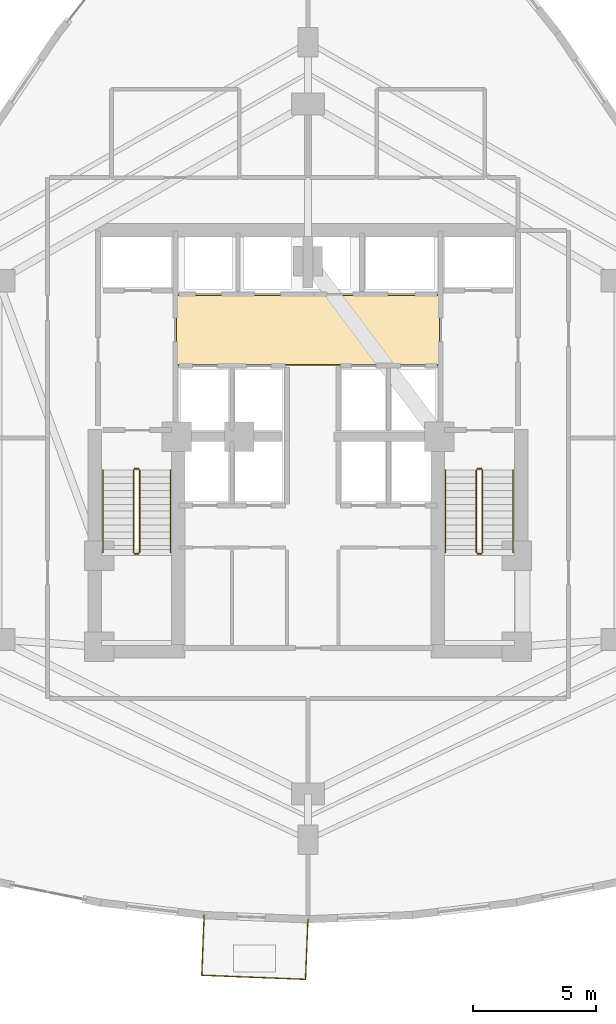
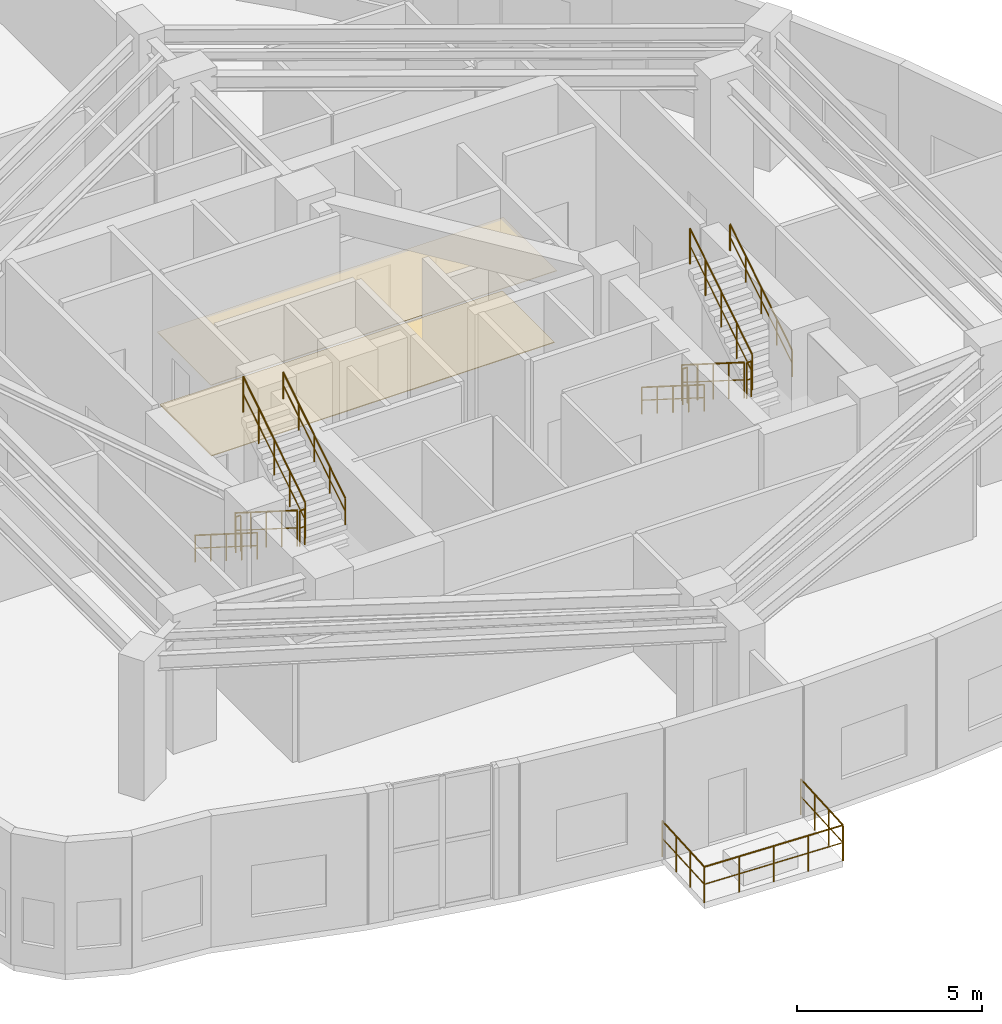
# One storey, part 17 of 17: 13 railings, 2 coverings.
"""IFC4 building model written with IfcOpenShell, lengths in metres."""

from ifc_helpers import new_model, si_unit, direction, frame, origin, origin_2d, place, context, subcontext, project, spatial, polyline, circle, outline, extrude, material, layer, layer_set, type_object, element, save


model = new_model("IFC4")

# Units and contexts
model_context = context("Model", 3, precision=1e-05, world=origin(), true_north=direction((0.0, 1.0)))
body_context = subcontext(model_context, "Body", "Model", "MODEL_VIEW")
ifc_project = project(units=[si_unit("LENGTHUNIT", "METRE"), si_unit("AREAUNIT", "SQUARE_METRE"), si_unit("VOLUMEUNIT", "CUBIC_METRE"), si_unit("PLANEANGLEUNIT", "RADIAN"), si_unit("MASSUNIT", "GRAM", prefix="KILO")], contexts=[model_context])

# Site, building, storey
site_placement = place(None, origin())
site = spatial("IfcSite", under=ifc_project, at=site_placement, CompositionType="ELEMENT")
building_placement = place(site_placement, origin())
building = spatial("IfcBuilding", under=site, at=building_placement, Name="Miruveldt Soraemaru", CompositionType="ELEMENT")
storey_placement = place(building_placement, frame((0.0, 0.0, 95.800048828125)))
storey = spatial("IfcBuildingStorey", under=building, at=storey_placement, Name="L26", CompositionType="ELEMENT", Elevation=95.800048828125)

# Coverings
ifc_material_1 = material(Name="Gypsum plasterboard lining", Category="gypsum")
ifc_layer_1 = layer(ifc_material_1, 0.02001953125, Name="Gypsum plasterboard lining", Category="gypsum")
ifc_layer_set_1 = layer_set([ifc_layer_1], Name="Gypsum plasterboard lining")
covering_type_1 = type_object("IfcCoveringType", Name="COV-CEIL-AC", PredefinedType="CEILING", material=ifc_layer_set_1)
covering_1_placement = place(storey_placement, frame((0.0, 0.0, 2.3798828125)))
element("IfcCovering", 1, at=covering_1_placement, inside=storey, type_object=covering_type_1, Name="L26 Lift Lobby Acoustic Ceiling", PredefinedType="CEILING", context=body_context, shape_type="SweptSolid", body=[
    extrude(outline(polyline([(38.60009765625, 46.949951171875), (49.39990234375, 46.949951171875), (49.39990234375, 49.85009765625), (38.60009765625, 49.85009765625), (38.60009765625, 46.949951171875)])), origin(), (0.0, 0.0, 1.0), 0.02001953125),
])
ifc_material_2 = material(Name="Precast concrete C45/55 (45 MPa)", Category="concrete")
ifc_layer_2 = layer(ifc_material_2, 0.02490234375, Name="Precast concrete C45/55 (45 MPa)", Category="concrete")
ifc_layer_set_2 = layer_set([ifc_layer_2], Name="Precast concrete C45/55 (45 MPa)")
covering_type_2 = type_object("IfcCoveringType", Name="COV-FLOR-ST", PredefinedType="FLOORING", material=ifc_layer_set_2)
covering_2_placement = place(storey_placement, origin())
element("IfcCovering", 2, at=covering_2_placement, inside=storey, type_object=covering_type_2, Name="L26 Lift Lobby Stone Flooring", PredefinedType="FLOORING", context=body_context, shape_type="SweptSolid", body=[
    extrude(outline(polyline([(38.64990234375, 47.0), (49.35009765625, 47.0), (49.35009765625, 49.800048828125), (38.64990234375, 49.800048828125), (38.64990234375, 47.0)])), origin(), (0.0, 0.0, 1.0), 0.02490234375),
])

# Railings
ifc_material_3 = material(Name="Anodised aluminium EN AW-6063 T6", Category="aluminium")
railing_type_1 = type_object("IfcRailingType", Name="RAIL-BAL-1200", PredefinedType="BALUSTRADE", material=ifc_material_3)
railing_1_placement = place(storey_placement, frame((39.77099609375, 24.5771484375, 0.0)))
element("IfcRailing", 3, at=railing_1_placement, inside=storey, type_object=railing_type_1, Name="L26 Sky Garden Deck Guardrail", PredefinedType="BALUSTRADE", context=body_context, shape_type="SweptSolid", body=[
    extrude(circle(Radius=0.02392578125, at=origin_2d()), frame((0.0, 0.0, 1.17578125), z_axis=(-0.039960078997, -0.999201277064, 0.0), x_axis=(0.999201277064, -0.039960078997, 0.0)), (0.0, 0.0, 1.0), 2.449951171875),
    extrude(circle(Radius=0.01611328125, at=origin_2d()), frame((0.0, 0.0, 0.60009765625), z_axis=(-0.039960078997, -0.999201277064, 0.0), x_axis=(0.999201277064, -0.039960078997, 0.0)), (0.0, 0.0, 1.0), 2.449951171875),
    extrude(circle(Radius=0.02392578125, at=origin_2d()), frame((-0.097900390625, -2.447998046875, 1.17578125), z_axis=(0.999202984671, -0.039917357429, 0.0), x_axis=(0.039917357429, 0.999202984671, 0.0)), (0.0, 0.0, 1.0), 4.232421875),
    extrude(circle(Radius=0.01611328125, at=origin_2d()), frame((-0.097900390625, -2.447998046875, 0.60009765625), z_axis=(0.999202984671, -0.039917357429, 0.0), x_axis=(0.039917357429, 0.999202984671, 0.0)), (0.0, 0.0, 1.0), 4.232421875),
    extrude(circle(Radius=0.02392578125, at=origin_2d()), frame((4.131103515625, -2.616943359375, 1.17578125), z_axis=(0.039960078997, 0.999201277064, 0.0), x_axis=(-0.999201277064, 0.039960078997, 0.0)), (0.0, 0.0, 1.0), 2.449951171875),
    extrude(circle(Radius=0.01611328125, at=origin_2d()), frame((4.131103515625, -2.616943359375, 0.60009765625), z_axis=(0.039960078997, 0.999201277064, 0.0), x_axis=(-0.999201277064, 0.039960078997, 0.0)), (0.0, 0.0, 1.0), 2.449951171875),
    extrude(circle(Radius=0.02099609375, at=origin_2d()), origin(), (0.0, 0.0, 1.0), 1.15185546875),
    extrude(circle(Radius=0.02099609375, at=origin_2d()), frame((-0.03271484375, -0.81591796875, 0.0)), (0.0, 0.0, 1.0), 1.15185546875),
    extrude(circle(Radius=0.02099609375, at=origin_2d()), frame((-0.065185546875, -1.632080078125, 0.0)), (0.0, 0.0, 1.0), 1.15185546875),
    extrude(circle(Radius=0.02099609375, at=origin_2d()), frame((-0.097900390625, -2.447998046875, 0.0)), (0.0, 0.0, 1.0), 1.15185546875),
    extrude(circle(Radius=0.02099609375, at=origin_2d()), frame((0.95947265625, -2.490234375, 0.0)), (0.0, 0.0, 1.0), 1.15185546875),
    extrude(circle(Radius=0.02099609375, at=origin_2d()), frame((2.0166015625, -2.532470703125, 0.0)), (0.0, 0.0, 1.0), 1.15185546875),
    extrude(circle(Radius=0.02099609375, at=origin_2d()), frame((3.07373046875, -2.57470703125, 0.0)), (0.0, 0.0, 1.0), 1.15185546875),
    extrude(circle(Radius=0.02099609375, at=origin_2d()), frame((4.131103515625, -2.616943359375, 0.0)), (0.0, 0.0, 1.0), 1.15185546875),
    extrude(circle(Radius=0.02099609375, at=origin_2d()), frame((4.163818359375, -1.801025390625, 0.0)), (0.0, 0.0, 1.0), 1.15185546875),
    extrude(circle(Radius=0.02099609375, at=origin_2d()), frame((4.1962890625, -0.98486328125, 0.0)), (0.0, 0.0, 1.0), 1.15185546875),
    extrude(circle(Radius=0.02099609375, at=origin_2d()), frame((4.22900390625, -0.1689453125, 0.0)), (0.0, 0.0, 1.0), 1.15185546875),
])
ifc_material_4 = material(Name="Steel S355 (355 MPa)", Category="steel")
railing_type_2 = type_object("IfcRailingType", Name="RAIL-HR-900", PredefinedType="HANDRAIL", material=ifc_material_4)
railing_2_placement = place(storey_placement, frame((35.64990234375, 42.699951171875, 0.1767578125)))
element("IfcRailing", 4, at=railing_2_placement, inside=storey, type_object=railing_type_2, Name="L26 ST-1 stair handrail 1", PredefinedType="HANDRAIL", context=body_context, shape_type="SweptSolid", body=[
    extrude(circle(Radius=0.02392578125, at=origin_2d()), frame((0.0, 0.0, 0.8759765625), z_axis=(0.0, -0.845344368971, 0.534221768416), x_axis=(1.0, 0.0, 0.0)), (0.0, 0.0, 1.0), 3.974609375),
    extrude(circle(Radius=0.01611328125, at=origin_2d()), frame((0.0, 0.0, 0.449951171875), z_axis=(0.0, -0.845344368971, 0.534221768416), x_axis=(1.0, 0.0, 0.0)), (0.0, 0.0, 1.0), 3.974609375),
    extrude(circle(Radius=0.02099609375, at=origin_2d()), origin(), (0.0, 0.0, 1.0), 0.851806640625),
    extrude(circle(Radius=0.02099609375, at=origin_2d()), frame((0.0, -0.83984375, 0.53076171875)), (0.0, 0.0, 1.0), 0.851806640625),
    extrude(circle(Radius=0.02099609375, at=origin_2d()), frame((0.0, -1.679931640625, 1.0615234375)), (0.0, 0.0, 1.0), 0.851806640625),
    extrude(circle(Radius=0.02099609375, at=origin_2d()), frame((0.0, -2.52001953125, 1.592529296875)), (0.0, 0.0, 1.0), 0.851806640625),
    extrude(circle(Radius=0.02099609375, at=origin_2d()), frame((0.0, -3.35986328125, 2.123291015625)), (0.0, 0.0, 1.0), 0.851806640625),
])
railing_3_placement = place(storey_placement, frame((38.39990234375, 39.340087890625, 2.476806640625)))
element("IfcRailing", 5, at=railing_3_placement, inside=storey, type_object=railing_type_2, Name="L26 ST-1 stair handrail 2", PredefinedType="HANDRAIL", context=body_context, shape_type="SweptSolid", body=[
    extrude(circle(Radius=0.02392578125, at=origin_2d()), frame((0.0, 0.0, 0.8759765625), z_axis=(0.0, 0.845372108799, 0.534177870812), x_axis=(-1.0, 0.0, 0.0)), (0.0, 0.0, 1.0), 3.974365234375),
    extrude(circle(Radius=0.01611328125, at=origin_2d()), frame((0.0, 0.0, 0.449951171875), z_axis=(0.0, 0.845372108799, 0.534177870812), x_axis=(-1.0, 0.0, 0.0)), (0.0, 0.0, 1.0), 3.974365234375),
    extrude(circle(Radius=0.02099609375, at=origin_2d()), origin(), (0.0, 0.0, 1.0), 0.851806640625),
    extrude(circle(Radius=0.02099609375, at=origin_2d()), frame((0.0, 0.83984375, 0.53076171875)), (0.0, 0.0, 1.0), 0.851806640625),
    extrude(circle(Radius=0.02099609375, at=origin_2d()), frame((0.0, 1.679931640625, 1.0615234375)), (0.0, 0.0, 1.0), 0.851806640625),
    extrude(circle(Radius=0.02099609375, at=origin_2d()), frame((0.0, 2.52001953125, 1.59228515625)), (0.0, 0.0, 1.0), 0.851806640625),
    extrude(circle(Radius=0.02099609375, at=origin_2d()), frame((0.0, 3.35986328125, 2.123046875)), (0.0, 0.0, 1.0), 0.851806640625),
])
railing_4_placement = place(storey_placement, frame((49.60009765625, 42.699951171875, 0.1767578125)))
element("IfcRailing", 6, at=railing_4_placement, inside=storey, type_object=railing_type_2, Name="L26 ST-2 stair handrail 1", PredefinedType="HANDRAIL", context=body_context, shape_type="SweptSolid", body=[
    extrude(circle(Radius=0.02392578125, at=origin_2d()), frame((0.0, 0.0, 0.8759765625), z_axis=(0.0, -0.845344368971, 0.534221768416), x_axis=(1.0, 0.0, 0.0)), (0.0, 0.0, 1.0), 3.974609375),
    extrude(circle(Radius=0.01611328125, at=origin_2d()), frame((0.0, 0.0, 0.449951171875), z_axis=(0.0, -0.845344368971, 0.534221768416), x_axis=(1.0, 0.0, 0.0)), (0.0, 0.0, 1.0), 3.974609375),
    extrude(circle(Radius=0.02099609375, at=origin_2d()), origin(), (0.0, 0.0, 1.0), 0.851806640625),
    extrude(circle(Radius=0.02099609375, at=origin_2d()), frame((0.0, -0.83984375, 0.53076171875)), (0.0, 0.0, 1.0), 0.851806640625),
    extrude(circle(Radius=0.02099609375, at=origin_2d()), frame((0.0, -1.679931640625, 1.0615234375)), (0.0, 0.0, 1.0), 0.851806640625),
    extrude(circle(Radius=0.02099609375, at=origin_2d()), frame((0.0, -2.52001953125, 1.592529296875)), (0.0, 0.0, 1.0), 0.851806640625),
    extrude(circle(Radius=0.02099609375, at=origin_2d()), frame((0.0, -3.35986328125, 2.123291015625)), (0.0, 0.0, 1.0), 0.851806640625),
])
railing_5_placement = place(storey_placement, frame((52.35009765625, 39.340087890625, 2.476806640625)))
element("IfcRailing", 7, at=railing_5_placement, inside=storey, type_object=railing_type_2, Name="L26 ST-2 stair handrail 2", PredefinedType="HANDRAIL", context=body_context, shape_type="SweptSolid", body=[
    extrude(circle(Radius=0.02392578125, at=origin_2d()), frame((0.0, 0.0, 0.8759765625), z_axis=(0.0, 0.845372108799, 0.534177870812), x_axis=(-1.0, 0.0, 0.0)), (0.0, 0.0, 1.0), 3.974365234375),
    extrude(circle(Radius=0.01611328125, at=origin_2d()), frame((0.0, 0.0, 0.449951171875), z_axis=(0.0, 0.845372108799, 0.534177870812), x_axis=(-1.0, 0.0, 0.0)), (0.0, 0.0, 1.0), 3.974365234375),
    extrude(circle(Radius=0.02099609375, at=origin_2d()), origin(), (0.0, 0.0, 1.0), 0.851806640625),
    extrude(circle(Radius=0.02099609375, at=origin_2d()), frame((0.0, 0.83984375, 0.53076171875)), (0.0, 0.0, 1.0), 0.851806640625),
    extrude(circle(Radius=0.02099609375, at=origin_2d()), frame((0.0, 1.679931640625, 1.0615234375)), (0.0, 0.0, 1.0), 0.851806640625),
    extrude(circle(Radius=0.02099609375, at=origin_2d()), frame((0.0, 2.52001953125, 1.59228515625)), (0.0, 0.0, 1.0), 0.851806640625),
    extrude(circle(Radius=0.02099609375, at=origin_2d()), frame((0.0, 3.35986328125, 2.123046875)), (0.0, 0.0, 1.0), 0.851806640625),
])
railing_type_3 = type_object("IfcRailingType", Name="RAIL-STGUARD-1200", PredefinedType="GUARDRAIL", material=ifc_material_4)
railing_6_placement = place(storey_placement, frame((36.89990234375, 42.699951171875, 0.1767578125)))
element("IfcRailing", 8, at=railing_6_placement, inside=storey, type_object=railing_type_3, Name="L26 ST-1 stair guard 1", PredefinedType="GUARDRAIL", context=body_context, shape_type="SweptSolid", body=[
    extrude(circle(Radius=0.02392578125, at=origin_2d()), frame((0.0, 0.0, 1.17578125), z_axis=(0.0, -0.845344368971, 0.534221768416), x_axis=(1.0, 0.0, 0.0)), (0.0, 0.0, 1.0), 3.974609375),
    extrude(circle(Radius=0.01611328125, at=origin_2d()), frame((0.0, 0.0, 0.60009765625), z_axis=(0.0, -0.845344368971, 0.534221768416), x_axis=(1.0, 0.0, 0.0)), (0.0, 0.0, 1.0), 3.974609375),
    extrude(circle(Radius=0.02099609375, at=origin_2d()), origin(), (0.0, 0.0, 1.0), 1.15185546875),
    extrude(circle(Radius=0.02099609375, at=origin_2d()), frame((0.0, -0.83984375, 0.53076171875)), (0.0, 0.0, 1.0), 1.15185546875),
    extrude(circle(Radius=0.02099609375, at=origin_2d()), frame((0.0, -1.679931640625, 1.0615234375)), (0.0, 0.0, 1.0), 1.15185546875),
    extrude(circle(Radius=0.02099609375, at=origin_2d()), frame((0.0, -2.52001953125, 1.592529296875)), (0.0, 0.0, 1.0), 1.15185546875),
    extrude(circle(Radius=0.02099609375, at=origin_2d()), frame((0.0, -3.35986328125, 2.123291015625)), (0.0, 0.0, 1.0), 1.15185546875),
])
railing_7_placement = place(storey_placement, frame((36.949951171875, 39.2900390625, 2.300048828125)))
element("IfcRailing", 9, at=railing_7_placement, inside=storey, type_object=railing_type_3, Name="L26 ST-1 stair guard 2", PredefinedType="GUARDRAIL", context=body_context, shape_type="SweptSolid", body=[
    extrude(circle(Radius=0.02392578125, at=origin_2d()), frame((0.0, 0.0, 1.17578125), z_axis=(1.0, 0.0, 0.0), x_axis=(0.0, 1.0, 0.0)), (0.0, 0.0, 1.0), 0.150146484375),
    extrude(circle(Radius=0.01611328125, at=origin_2d()), frame((0.0, 0.0, 0.60009765625), z_axis=(1.0, 0.0, 0.0), x_axis=(0.0, 1.0, 0.0)), (0.0, 0.0, 1.0), 0.150146484375),
    extrude(circle(Radius=0.02099609375, at=origin_2d()), origin(), (0.0, 0.0, 1.0), 1.15185546875),
    extrude(circle(Radius=0.02099609375, at=origin_2d()), frame((0.150146484375, 0.0, 0.0)), (0.0, 0.0, 1.0), 1.15185546875),
])
railing_8_placement = place(storey_placement, frame((37.14990234375, 39.340087890625, 2.476806640625)))
element("IfcRailing", 10, at=railing_8_placement, inside=storey, type_object=railing_type_3, Name="L26 ST-1 stair guard 3", PredefinedType="GUARDRAIL", context=body_context, shape_type="SweptSolid", body=[
    extrude(circle(Radius=0.02392578125, at=origin_2d()), frame((0.0, 0.0, 1.17578125), z_axis=(0.0, 0.845372108799, 0.534177870812), x_axis=(-1.0, 0.0, 0.0)), (0.0, 0.0, 1.0), 3.974365234375),
    extrude(circle(Radius=0.01611328125, at=origin_2d()), frame((0.0, 0.0, 0.60009765625), z_axis=(0.0, 0.845372108799, 0.534177870812), x_axis=(-1.0, 0.0, 0.0)), (0.0, 0.0, 1.0), 3.974365234375),
    extrude(circle(Radius=0.02099609375, at=origin_2d()), origin(), (0.0, 0.0, 1.0), 1.15185546875),
    extrude(circle(Radius=0.02099609375, at=origin_2d()), frame((0.0, 0.83984375, 0.53076171875)), (0.0, 0.0, 1.0), 1.15185546875),
    extrude(circle(Radius=0.02099609375, at=origin_2d()), frame((0.0, 1.679931640625, 1.0615234375)), (0.0, 0.0, 1.0), 1.15185546875),
    extrude(circle(Radius=0.02099609375, at=origin_2d()), frame((0.0, 2.52001953125, 1.59228515625)), (0.0, 0.0, 1.0), 1.15185546875),
    extrude(circle(Radius=0.02099609375, at=origin_2d()), frame((0.0, 3.35986328125, 2.123046875)), (0.0, 0.0, 1.0), 1.15185546875),
])
railing_9_placement = place(storey_placement, frame((36.949951171875, 42.75, 0.0)))
element("IfcRailing", 11, at=railing_9_placement, inside=storey, type_object=railing_type_3, Name="L26 ST-1 stair guard 4", PredefinedType="GUARDRAIL", context=body_context, shape_type="SweptSolid", body=[
    extrude(circle(Radius=0.02392578125, at=origin_2d()), frame((0.0, 0.0, 1.17578125), z_axis=(1.0, 0.0, 0.0), x_axis=(0.0, 1.0, 0.0)), (0.0, 0.0, 1.0), 0.150146484375),
    extrude(circle(Radius=0.01611328125, at=origin_2d()), frame((0.0, 0.0, 0.60009765625), z_axis=(1.0, 0.0, 0.0), x_axis=(0.0, 1.0, 0.0)), (0.0, 0.0, 1.0), 0.150146484375),
    extrude(circle(Radius=0.02099609375, at=origin_2d()), origin(), (0.0, 0.0, 1.0), 1.15185546875),
    extrude(circle(Radius=0.02099609375, at=origin_2d()), frame((0.150146484375, 0.0, 0.0)), (0.0, 0.0, 1.0), 1.15185546875),
])
railing_10_placement = place(storey_placement, frame((50.85009765625, 42.699951171875, 0.1767578125)))
element("IfcRailing", 12, at=railing_10_placement, inside=storey, type_object=railing_type_3, Name="L26 ST-2 stair guard 1", PredefinedType="GUARDRAIL", context=body_context, shape_type="SweptSolid", body=[
    extrude(circle(Radius=0.02392578125, at=origin_2d()), frame((0.0, 0.0, 1.17578125), z_axis=(0.0, -0.845344368971, 0.534221768416), x_axis=(1.0, 0.0, 0.0)), (0.0, 0.0, 1.0), 3.974609375),
    extrude(circle(Radius=0.01611328125, at=origin_2d()), frame((0.0, 0.0, 0.60009765625), z_axis=(0.0, -0.845344368971, 0.534221768416), x_axis=(1.0, 0.0, 0.0)), (0.0, 0.0, 1.0), 3.974609375),
    extrude(circle(Radius=0.02099609375, at=origin_2d()), origin(), (0.0, 0.0, 1.0), 1.15185546875),
    extrude(circle(Radius=0.02099609375, at=origin_2d()), frame((0.0, -0.83984375, 0.53076171875)), (0.0, 0.0, 1.0), 1.15185546875),
    extrude(circle(Radius=0.02099609375, at=origin_2d()), frame((0.0, -1.679931640625, 1.0615234375)), (0.0, 0.0, 1.0), 1.15185546875),
    extrude(circle(Radius=0.02099609375, at=origin_2d()), frame((0.0, -2.52001953125, 1.592529296875)), (0.0, 0.0, 1.0), 1.15185546875),
    extrude(circle(Radius=0.02099609375, at=origin_2d()), frame((0.0, -3.35986328125, 2.123291015625)), (0.0, 0.0, 1.0), 1.15185546875),
])
railing_11_placement = place(storey_placement, frame((50.89990234375, 39.2900390625, 2.300048828125)))
element("IfcRailing", 13, at=railing_11_placement, inside=storey, type_object=railing_type_3, Name="L26 ST-2 stair guard 2", PredefinedType="GUARDRAIL", context=body_context, shape_type="SweptSolid", body=[
    extrude(circle(Radius=0.02392578125, at=origin_2d()), frame((0.0, 0.0, 1.17578125), z_axis=(1.0, 0.0, 0.0), x_axis=(0.0, 1.0, 0.0)), (0.0, 0.0, 1.0), 0.150146484375),
    extrude(circle(Radius=0.01611328125, at=origin_2d()), frame((0.0, 0.0, 0.60009765625), z_axis=(1.0, 0.0, 0.0), x_axis=(0.0, 1.0, 0.0)), (0.0, 0.0, 1.0), 0.150146484375),
    extrude(circle(Radius=0.02099609375, at=origin_2d()), origin(), (0.0, 0.0, 1.0), 1.15185546875),
    extrude(circle(Radius=0.02099609375, at=origin_2d()), frame((0.150146484375, 0.0, 0.0)), (0.0, 0.0, 1.0), 1.15185546875),
])
railing_12_placement = place(storey_placement, frame((51.10009765625, 39.340087890625, 2.476806640625)))
element("IfcRailing", 14, at=railing_12_placement, inside=storey, type_object=railing_type_3, Name="L26 ST-2 stair guard 3", PredefinedType="GUARDRAIL", context=body_context, shape_type="SweptSolid", body=[
    extrude(circle(Radius=0.02392578125, at=origin_2d()), frame((0.0, 0.0, 1.17578125), z_axis=(0.0, 0.845372108799, 0.534177870812), x_axis=(-1.0, 0.0, 0.0)), (0.0, 0.0, 1.0), 3.974365234375),
    extrude(circle(Radius=0.01611328125, at=origin_2d()), frame((0.0, 0.0, 0.60009765625), z_axis=(0.0, 0.845372108799, 0.534177870812), x_axis=(-1.0, 0.0, 0.0)), (0.0, 0.0, 1.0), 3.974365234375),
    extrude(circle(Radius=0.02099609375, at=origin_2d()), origin(), (0.0, 0.0, 1.0), 1.15185546875),
    extrude(circle(Radius=0.02099609375, at=origin_2d()), frame((0.0, 0.83984375, 0.53076171875)), (0.0, 0.0, 1.0), 1.15185546875),
    extrude(circle(Radius=0.02099609375, at=origin_2d()), frame((0.0, 1.679931640625, 1.0615234375)), (0.0, 0.0, 1.0), 1.15185546875),
    extrude(circle(Radius=0.02099609375, at=origin_2d()), frame((0.0, 2.52001953125, 1.59228515625)), (0.0, 0.0, 1.0), 1.15185546875),
    extrude(circle(Radius=0.02099609375, at=origin_2d()), frame((0.0, 3.35986328125, 2.123046875)), (0.0, 0.0, 1.0), 1.15185546875),
])
railing_13_placement = place(storey_placement, frame((50.89990234375, 42.75, 0.0)))
element("IfcRailing", 15, at=railing_13_placement, inside=storey, type_object=railing_type_3, Name="L26 ST-2 stair guard 4", PredefinedType="GUARDRAIL", context=body_context, shape_type="SweptSolid", body=[
    extrude(circle(Radius=0.02392578125, at=origin_2d()), frame((0.0, 0.0, 1.17578125), z_axis=(1.0, 0.0, 0.0), x_axis=(0.0, 1.0, 0.0)), (0.0, 0.0, 1.0), 0.150146484375),
    extrude(circle(Radius=0.01611328125, at=origin_2d()), frame((0.0, 0.0, 0.60009765625), z_axis=(1.0, 0.0, 0.0), x_axis=(0.0, 1.0, 0.0)), (0.0, 0.0, 1.0), 0.150146484375),
    extrude(circle(Radius=0.02099609375, at=origin_2d()), origin(), (0.0, 0.0, 1.0), 1.15185546875),
    extrude(circle(Radius=0.02099609375, at=origin_2d()), frame((0.150146484375, 0.0, 0.0)), (0.0, 0.0, 1.0), 1.15185546875),
])

save(model, "model.ifc")
